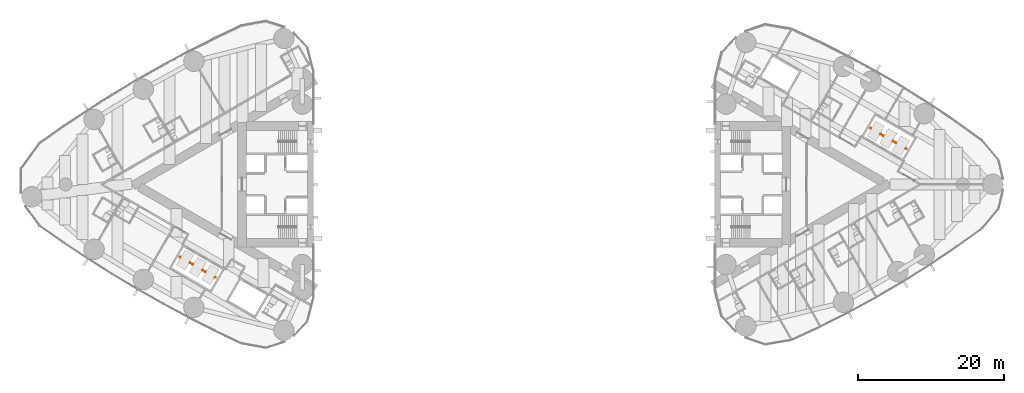
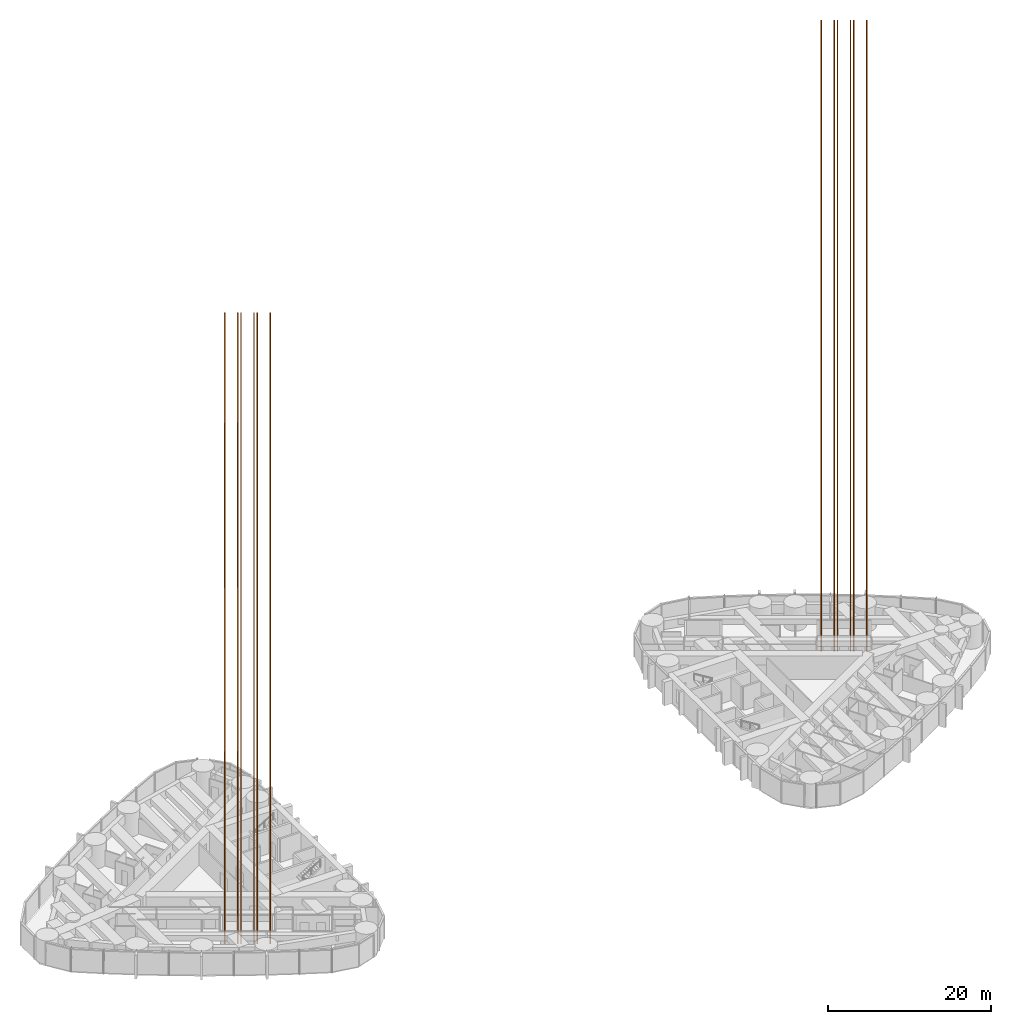
# One storey, part 21 of 21: 6 proxies.
"""IFC4 building model written with IfcOpenShell, lengths in metres."""

from ifc_helpers import new_model, si_unit, direction, frame, origin, origin_2d, place, context, subcontext, project, spatial, rectangle, extrude, material, type_object, element, save


model = new_model("IFC4")

# Units and contexts
model_context = context("Model", 3, precision=1e-05, world=origin(), true_north=direction((0.0, 1.0)))
body_context = subcontext(model_context, "Body", "Model", "MODEL_VIEW")
ifc_project = project(units=[si_unit("LENGTHUNIT", "METRE"), si_unit("AREAUNIT", "SQUARE_METRE"), si_unit("VOLUMEUNIT", "CUBIC_METRE"), si_unit("PLANEANGLEUNIT", "RADIAN"), si_unit("MASSUNIT", "GRAM", prefix="KILO")], contexts=[model_context])

# Site, building, storey
site_placement = place(None, origin())
site = spatial("IfcSite", under=ifc_project, at=site_placement, CompositionType="ELEMENT")
building_placement = place(site_placement, origin())
building = spatial("IfcBuilding", under=site, at=building_placement, Name="Lancet Gate Hotel", CompositionType="ELEMENT")
storey_placement = place(building_placement, frame((0.0, 0.0, 156.300048828125)))
storey = spatial("IfcBuildingStorey", under=building, at=storey_placement, Name="L41", CompositionType="ELEMENT", Elevation=156.300048828125)

# Proxies
ifc_material = material(Name="Steel S355", Category="steel")
building_element_proxy_type = type_object("IfcBuildingElementProxyType", Name="Lift guide rails", PredefinedType="USERDEFINED", material=ifc_material)
for number, where, z_axis, x_axis, name in (
    (1, (-41.64599609375, -12.368408203125, 0.0), (0.0, 0.0, 1.0), (-0.499916865226, -0.866073396349, 0.0), "T1-HL1 guide rails"),
    (2, (-43.3779296875, -11.368408203125, 0.0), (0.0, 0.0, 1.0), (-0.499916865226, -0.866073396349, 0.0), "T1-HL2 guide rails"),
    (3, (-45.110107421875, -10.368408203125, 0.0), (0.0, 0.0, 1.0), (-0.499916865226, -0.866073396349, 0.0), "T1-HL3 guide rails"),
    (4, (49.570068359375, 7.29345703125, 0.0), (0.0, 0.0, 1.0), (0.499916865226, 0.866073396349, 0.0), "T2-HL1 guide rails"),
    (5, (51.302001953125, 6.29345703125, 0.0), (0.0, 0.0, 1.0), (0.499916865226, 0.866073396349, 0.0), "T2-HL2 guide rails"),
    (6, (53.033935546875, 5.29345703125, 0.0), (0.0, 0.0, 1.0), (0.499916865226, 0.866073396349, 0.0), "T2-HL3 guide rails"),
):
    element("IfcBuildingElementProxy", number, at=place(storey_placement, frame(where, z_axis=z_axis, x_axis=x_axis)), inside=storey, type_object=building_element_proxy_type, Name=name, ObjectType="LIFT GUIDE RAILS", PredefinedType="USERDEFINED", context=body_context, shape_type="SweptSolid", body=[
        extrude(rectangle(XDim=0.1, YDim=0.1, at=origin_2d()), frame((0.0, -0.800048828125, 0.0)), (0.0, 0.0, 1.0), 94.39990234375),
        extrude(rectangle(XDim=0.1, YDim=0.1, at=origin_2d()), frame((0.0, 0.800048828125, 0.0)), (0.0, 0.0, 1.0), 94.39990234375),
    ])

save(model, "model.ifc")
